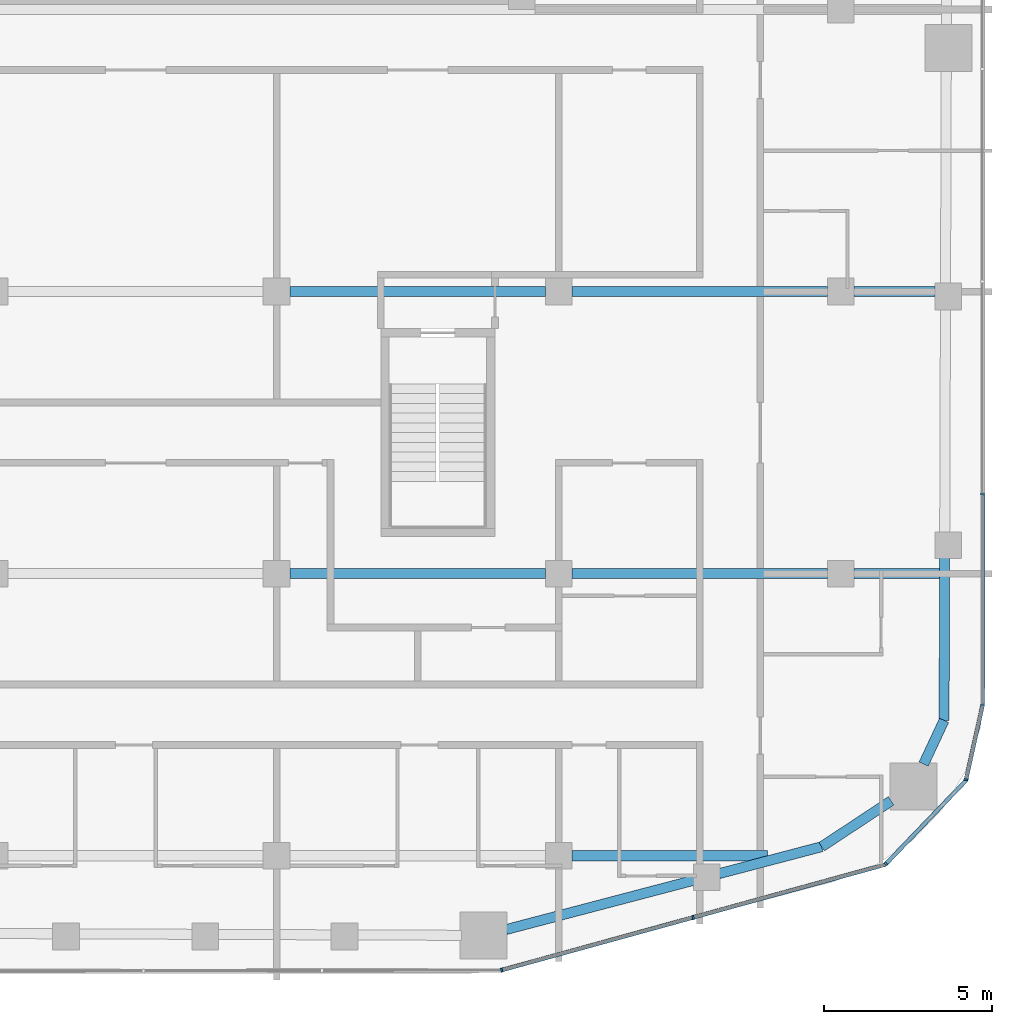
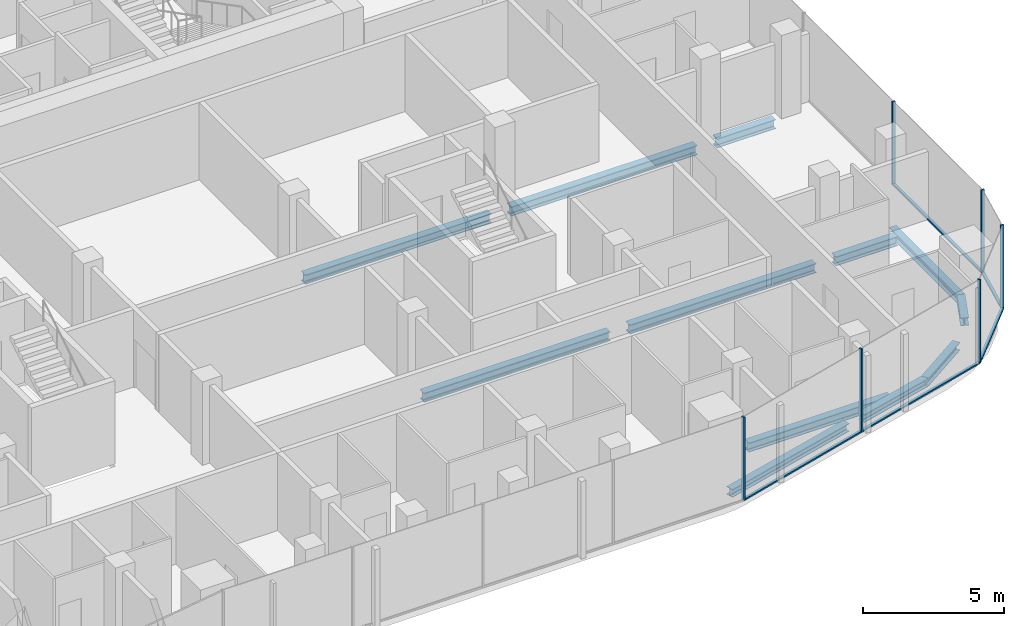
# One storey, part 6 of 21: 12 beams, 11 members, 4 elements without a shape of their own.
"""IFC4 building model written with IfcOpenShell, lengths in metres."""

import ifcopenshell
import ifcopenshell.guid

model = None  # the IFC model being written
_history = None  # IfcOwnerHistory: only IFC2X3 demands one
_inside = {}  # id of a spatial element -> (the spatial element, [elements in it])
_under = {}  # id of a project, library or spatial element -> (it, [spatial elements below it])
_declared = {}  # id of a project -> (the project, [libraries it declares])
_typed = {}  # id of a type object -> (the type object, [elements of that type])
_made_of = {}  # id of a material, layer set ... -> (it, [elements and type objects made of it])


def new_model(schema):
    """Start an empty IFC model of exactly this schema.

    Asked for "IFC4X3", IfcOpenShell would pick the latest addendum, in which some entities
    have other attributes; the version numbers below select the first issue.
    IFC2X3 requires an IfcOwnerHistory on every rooted entity: one is made here for all.
    """
    global model, _history
    if schema == "IFC4X3":
        model = ifcopenshell.file(schema_version=(4, 3, 0, 0))
    else:
        model = ifcopenshell.file(schema=schema)
    _inside.clear()
    _under.clear()
    _declared.clear()
    _typed.clear()
    _made_of.clear()
    _history = None
    if model.schema == "IFC2X3":
        org = make("IfcOrganization", Name="unknown")
        user = make(
            "IfcPersonAndOrganization",
            ThePerson=make("IfcPerson", FamilyName="unknown"),
            TheOrganization=org,
        )
        app = make(
            "IfcApplication",
            ApplicationDeveloper=org,
            Version="unknown",
            ApplicationFullName="unknown",
            ApplicationIdentifier="unknown",
        )
        _history = make(
            "IfcOwnerHistory",
            OwningUser=user,
            OwningApplication=app,
            ChangeAction="ADDED",
            CreationDate=0,
        )
    return model


def make(cls, **values):
    """One entity of the class cls with the attributes given. An attribute that is None is left unset."""
    return model.create_entity(
        cls, **{name: value for name, value in values.items() if value is not None}
    )


def rooted(cls, **values):
    """An entity with a GlobalId (a new one), such as an element, a storey or a relation."""
    return make(cls, GlobalId=ifcopenshell.guid.new(), OwnerHistory=_history, **values)


def si_unit(unit_type, name, prefix=None):
    """IfcSIUnit, for example si_unit("LENGTHUNIT", "METRE", prefix="MILLI")."""
    return make("IfcSIUnit", UnitType=unit_type, Prefix=prefix, Name=name)


def assignment(units):
    """IfcUnitAssignment: the units of a project."""
    return None if units is None else make("IfcUnitAssignment", Units=units)


def point(xyz):
    """IfcCartesianPoint."""
    return None if xyz is None else make("IfcCartesianPoint", Coordinates=xyz)


def direction(xyz):
    """IfcDirection."""
    return None if xyz is None else make("IfcDirection", DirectionRatios=xyz)


def frame(location, z_axis=None, x_axis=None):
    """IfcAxis2Placement3D, a coordinate frame: its origin and axes. An axis left out is left unset."""
    return make(
        "IfcAxis2Placement3D",
        Location=point(location),
        Axis=direction(z_axis),
        RefDirection=direction(x_axis),
    )


def frame_2d(location, x_axis=None):
    """IfcAxis2Placement2D, a coordinate frame in the plane: its origin and x axis."""
    return make(
        "IfcAxis2Placement2D", Location=point(location), RefDirection=direction(x_axis)
    )


def origin():
    """The frame at (0, 0, 0) with its axes left unset."""
    return frame((0.0, 0.0, 0.0))


def origin_2d():
    """The frame at (0, 0) in the plane with its x axis left unset."""
    return frame_2d((0.0, 0.0))


def place(relative_to, where):
    """IfcLocalPlacement: puts the frame where relative to a parent placement (None: the world)."""
    return make(
        "IfcLocalPlacement", PlacementRelTo=relative_to, RelativePlacement=where
    )


def context(
    kind, dimensions, precision=None, world=None, true_north=None, identifier=None
):
    """IfcGeometricRepresentationContext, for example the 3D "Model" context."""
    return make(
        "IfcGeometricRepresentationContext",
        ContextIdentifier=identifier,
        ContextType=kind,
        CoordinateSpaceDimension=dimensions,
        Precision=precision,
        WorldCoordinateSystem=world,
        TrueNorth=true_north,
    )


def subcontext(parent, identifier, kind, view, scale=None):
    """IfcGeometricRepresentationSubContext, for example "Body" below "Model"."""
    return make(
        "IfcGeometricRepresentationSubContext",
        ContextIdentifier=identifier,
        ContextType=kind,
        ParentContext=parent,
        TargetScale=scale,
        TargetView=view,
    )


def project(units=None, contexts=None):
    """IfcProject with its units and contexts."""
    return rooted(
        "IfcProject",
        Name="project",
        RepresentationContexts=contexts,
        UnitsInContext=assignment(units),
    )


def spatial(cls, under=None, at=None, **own):
    """A site, building, storey or space (cls), placed at a placement, below another one or the project."""
    s = rooted(cls, ObjectPlacement=at, **own)
    if under is not None:
        _under.setdefault(under.id(), (under, []))[1].append(s)
    return s


def profile(cls, at=None, kind="AREA", **sizes):
    """A parametric profile (cls). Its sizes go by their IFC names, for example OverallWidth=200.0."""
    return make(cls, ProfileType=kind, Position=at, **sizes)


def rectangle(**sizes):
    """IfcRectangleProfileDef."""
    return profile("IfcRectangleProfileDef", **sizes)


def i_section(**sizes):
    """IfcIShapeProfileDef."""
    return profile("IfcIShapeProfileDef", **sizes)


def extrude(swept, where, along, depth):
    """IfcExtrudedAreaSolid: the profile swept, set in the frame where, extruded along a direction by depth."""
    return make(
        "IfcExtrudedAreaSolid",
        SweptArea=swept,
        Position=where,
        ExtrudedDirection=direction(along),
        Depth=depth,
    )


def shape(context_of_items, identifier, shape_type, items):
    """IfcShapeRepresentation: the items that make up one representation, for example the "Body"."""
    return make(
        "IfcShapeRepresentation",
        ContextOfItems=context_of_items,
        RepresentationIdentifier=identifier,
        RepresentationType=shape_type,
        Items=items,
    )


def material(Name=None, Category=None):
    """IfcMaterial."""
    return make("IfcMaterial", Name=Name, Category=Category)


def layer(
    of_material, thickness, ventilated=None, Name=None, Category=None, Priority=None
):
    """IfcMaterialLayer: one layer of a wall or slab, of a material (None: an air gap)."""
    return make(
        "IfcMaterialLayer",
        Material=of_material,
        LayerThickness=thickness,
        IsVentilated=ventilated,
        Name=Name,
        Category=Category,
        Priority=Priority,
    )


def layer_set(layers, Name=None):
    """IfcMaterialLayerSet."""
    return make("IfcMaterialLayerSet", MaterialLayers=layers, LayerSetName=Name)


def material_profile(
    of_material, cross_section, Name=None, Category=None, Priority=None
):
    """IfcMaterialProfile: a cross section and its material."""
    return make(
        "IfcMaterialProfile",
        Name=Name,
        Material=of_material,
        Profile=cross_section,
        Priority=Priority,
        Category=Category,
    )


def profile_set(profiles, Name=None, composite=None):
    """IfcMaterialProfileSet."""
    return make(
        "IfcMaterialProfileSet",
        Name=Name,
        MaterialProfiles=profiles,
        CompositeProfile=composite,
    )


def made_of(thing, what):
    """Note that an element or type object is made of a material, layer set ...; save() writes the relation."""
    if what is not None:
        _made_of.setdefault(what.id(), (what, []))[1].append(thing)
    return thing


def type_object(cls, material=None, **own):
    """A type object (cls), such as IfcWallType, which elements share."""
    return made_of(rooted(cls, **own), material)


def element(
    cls,
    number,
    at=None,
    inside=None,
    cuts=None,
    type_object=None,
    material=None,
    context=None,
    identifier="Body",
    shape_type=None,
    held_by="IfcProductDefinitionShape",
    body=None,
    shapes=None,
    **own,
):
    """One element of the class cls, such as IfcWall. Its Tag is "e" and its number.

    at: its placement. inside: the storey or other place that contains it. cuts: it is an
    opening in that element (IfcRelVoidsElement). A single representation is given by context,
    identifier, shape_type and body (its items); several are given by shapes. held_by: the class
    of the entity that holds the representations. save() writes the other relations.
    """
    e = rooted(cls, Tag="e%d" % number, ObjectPlacement=at, **own)
    if body is not None:
        shapes = [shape(context, identifier, shape_type, body)]
    if shapes is not None:
        e.Representation = make(held_by, Representations=shapes)
    if inside is not None:
        _inside.setdefault(inside.id(), (inside, []))[1].append(e)
    if cuts is not None:
        rooted(
            "IfcRelVoidsElement", RelatingBuildingElement=cuts, RelatedOpeningElement=e
        )
    if type_object is not None:
        _typed.setdefault(type_object.id(), (type_object, []))[1].append(e)
    return made_of(e, material)


def aggregate(whole, parts):
    """IfcRelAggregates: a whole, such as a stair, and the parts it consists of."""
    return rooted("IfcRelAggregates", RelatingObject=whole, RelatedObjects=parts)


def save(model, path):
    """Write the relations noted so far, then the file.

    IfcRelAggregates (storeys below a building ...), IfcRelContainedInSpatialStructure (elements
    in a storey), IfcRelDefinesByType, IfcRelAssociatesMaterial and IfcRelDeclares: one each for
    every whole, place, type object, material and project.
    """
    for whole, parts in _under.values():
        aggregate(whole, parts)
    for where, things in _inside.values():
        rooted(
            "IfcRelContainedInSpatialStructure",
            RelatedElements=things,
            RelatingStructure=where,
        )
    for kind, things in _typed.values():
        rooted("IfcRelDefinesByType", RelatedObjects=things, RelatingType=kind)
    for what, things in _made_of.values():
        rooted("IfcRelAssociatesMaterial", RelatedObjects=things, RelatingMaterial=what)
    for by, libraries in _declared.values():
        rooted("IfcRelDeclares", RelatingContext=by, RelatedDefinitions=libraries)
    model.write(path)


model = new_model("IFC4")

# Units and contexts
model_context = context("Model", 3, precision=1e-05, world=origin(), true_north=direction((0.0, 1.0)))
body_context = subcontext(model_context, "Body", "Model", "MODEL_VIEW")
ifc_project = project(units=[si_unit("LENGTHUNIT", "METRE"), si_unit("AREAUNIT", "SQUARE_METRE"), si_unit("VOLUMEUNIT", "CUBIC_METRE"), si_unit("PLANEANGLEUNIT", "RADIAN"), si_unit("MASSUNIT", "GRAM", prefix="KILO")], contexts=[model_context])

# Site, building, storey
site_placement = place(None, origin())
site = spatial("IfcSite", under=ifc_project, at=site_placement, CompositionType="ELEMENT")
building_placement = place(site_placement, origin())
building = spatial("IfcBuilding", under=site, at=building_placement, Name="Marenta Gate Hotel Tower", CompositionType="ELEMENT")
storey_placement = place(building_placement, frame((0.0, 0.0, 202.10009765625)))
storey = spatial("IfcBuildingStorey", under=building, at=storey_placement, Name="L46", CompositionType="ELEMENT", Elevation=202.10009765625)

# Beams
ifc_material_1 = material(Name="Steel S355", Category="steel")
ifc_material_profile_1 = material_profile(ifc_material_1, i_section(OverallWidth=0.300048828125, OverallDepth=0.340087890625, WebThickness=0.011962890625, FlangeThickness=0.021484375, FilletRadius=0.027099609375, at=origin_2d()), Name="HEB 340")
ifc_profile_set_1 = profile_set([ifc_material_profile_1], Name="Steel S355")
beam_type_1 = type_object("IfcBeamType", Name="Edge beam HEB 340", PredefinedType="SPANDREL", material=ifc_profile_set_1)
beam_1_placement = place(storey_placement, frame((24.09130859375, -16.31201171875, -0.43017578125), z_axis=(-0.003318732666, -0.999994492992, 0.0), x_axis=(0.999994492992, -0.003318732666, 0.0)))
element("IfcBeam", 1, at=beam_1_placement, inside=storey, type_object=beam_type_1, Name="L46-EB-27", PredefinedType="SPANDREL", context=body_context, shape_type="SweptSolid", body=[
    extrude(i_section(OverallWidth=0.300048828125, OverallDepth=0.340087890625, WebThickness=0.011962890625, FlangeThickness=0.021484375, FilletRadius=0.027099609375, at=origin_2d()), origin(), (0.0, 0.0, 1.0), 4.855224609375),
])
beam_2_placement = place(storey_placement, frame((24.0751953125, -21.167236328125, -0.43017578125), z_axis=(-0.423341112024, -0.905970365338, 0.0), x_axis=(0.905970365338, -0.423341112024, 0.0)))
element("IfcBeam", 2, at=beam_2_placement, inside=storey, type_object=beam_type_1, Name="L46-EB-28", PredefinedType="SPANDREL", context=body_context, shape_type="SweptSolid", body=[
    extrude(i_section(OverallWidth=0.300048828125, OverallDepth=0.340087890625, WebThickness=0.011962890625, FlangeThickness=0.021484375, FilletRadius=0.027099609375, at=origin_2d()), origin(), (0.0, 0.0, 1.0), 1.437255859375),
])
beam_3_placement = place(storey_placement, frame((22.496337890625, -23.56640625, -0.43017578125), z_axis=(-0.834528740585, -0.550964410047, 0.0), x_axis=(0.550964410047, -0.834528740585, 0.0)))
element("IfcBeam", 3, at=beam_3_placement, inside=storey, type_object=beam_type_1, Name="L46-EB-29", PredefinedType="SPANDREL", context=body_context, shape_type="SweptSolid", body=[
    extrude(i_section(OverallWidth=0.300048828125, OverallDepth=0.340087890625, WebThickness=0.011962890625, FlangeThickness=0.021484375, FilletRadius=0.027099609375, at=origin_2d()), origin(), (0.0, 0.0, 1.0), 2.47705078125),
])
beam_4_placement = place(storey_placement, frame((20.42919921875, -24.93115234375, -0.43017578125), z_axis=(-0.967235227858, -0.253881889845, 0.0), x_axis=(0.253881889845, -0.967235227858, 0.0)))
element("IfcBeam", 4, at=beam_4_placement, inside=storey, type_object=beam_type_1, Name="L46-EB-30", PredefinedType="SPANDREL", context=body_context, shape_type="SweptSolid", body=[
    extrude(i_section(OverallWidth=0.300048828125, OverallDepth=0.340087890625, WebThickness=0.011962890625, FlangeThickness=0.021484375, FilletRadius=0.027099609375, at=origin_2d()), origin(), (0.0, 0.0, 1.0), 3.164794921875),
])
beam_5_placement = place(storey_placement, frame((16.6455078125, -25.92431640625, -0.43017578125), z_axis=(-0.96723496524, -0.253882890359, 0.0), x_axis=(0.253882890359, -0.96723496524, 0.0)))
element("IfcBeam", 5, at=beam_5_placement, inside=storey, type_object=beam_type_1, Name="L46-EB-31", PredefinedType="SPANDREL", context=body_context, shape_type="SweptSolid", body=[
    extrude(i_section(OverallWidth=0.300048828125, OverallDepth=0.340087890625, WebThickness=0.011962890625, FlangeThickness=0.021484375, FilletRadius=0.027099609375, at=origin_2d()), origin(), (0.0, 0.0, 1.0), 5.80810546875),
])
ifc_material_2 = material(Name="Steel S355", Category="steel")
ifc_material_profile_2 = material_profile(ifc_material_2, i_section(OverallWidth=0.300048828125, OverallDepth=0.39990234375, WebThickness=0.013427734375, FlangeThickness=0.02392578125, FilletRadius=0.027099609375, at=origin_2d()), Name="HEB 400")
ifc_profile_set_2 = profile_set([ifc_material_profile_2], Name="Steel S355")
beam_type_2 = type_object("IfcBeamType", Name="Girder HEB 400", PredefinedType="BEAM", material=ifc_profile_set_2)
beam_6_placement = place(storey_placement, frame((13.0, -25.199951171875, -0.460205078125), z_axis=(1.0, 0.0, 0.0), x_axis=(0.0, 1.0, 0.0)))
element("IfcBeam", 6, at=beam_6_placement, inside=storey, type_object=beam_type_2, Name="L46-GD-5", PredefinedType="BEAM", context=body_context, shape_type="SweptSolid", body=[
    extrude(i_section(OverallWidth=0.300048828125, OverallDepth=0.39990234375, WebThickness=0.013427734375, FlangeThickness=0.02392578125, FilletRadius=0.027099609375, at=origin_2d()), origin(), (0.0, 0.0, 1.0), 5.81396484375),
])
beam_7_placement = place(storey_placement, frame((4.60009765625, -16.800048828125, -0.460205078125), z_axis=(1.0, 0.0, 0.0), x_axis=(0.0, 1.0, 0.0)))
element("IfcBeam", 7, at=beam_7_placement, inside=storey, type_object=beam_type_2, Name="L46-GD-10", PredefinedType="BEAM", context=body_context, shape_type="SweptSolid", body=[
    extrude(i_section(OverallWidth=0.300048828125, OverallDepth=0.39990234375, WebThickness=0.013427734375, FlangeThickness=0.02392578125, FilletRadius=0.027099609375, at=origin_2d()), origin(), (0.0, 0.0, 1.0), 7.599853515625),
])
beam_8_placement = place(storey_placement, frame((13.0, -16.800048828125, -0.460205078125), z_axis=(1.0, 0.0, 0.0), x_axis=(0.0, 1.0, 0.0)))
element("IfcBeam", 8, at=beam_8_placement, inside=storey, type_object=beam_type_2, Name="L46-GD-11", PredefinedType="BEAM", context=body_context, shape_type="SweptSolid", body=[
    extrude(i_section(OverallWidth=0.300048828125, OverallDepth=0.39990234375, WebThickness=0.013427734375, FlangeThickness=0.02392578125, FilletRadius=0.027099609375, at=origin_2d()), origin(), (0.0, 0.0, 1.0), 7.60009765625),
])
beam_9_placement = place(storey_placement, frame((21.39990234375, -16.800048828125, -0.460205078125), z_axis=(1.0, 0.0, 0.0), x_axis=(0.0, 1.0, 0.0)))
element("IfcBeam", 9, at=beam_9_placement, inside=storey, type_object=beam_type_2, Name="L46-GD-12", PredefinedType="BEAM", context=body_context, shape_type="SweptSolid", body=[
    extrude(i_section(OverallWidth=0.300048828125, OverallDepth=0.39990234375, WebThickness=0.013427734375, FlangeThickness=0.02392578125, FilletRadius=0.027099609375, at=origin_2d()), origin(), (0.0, 0.0, 1.0), 2.539794921875),
])
beam_10_placement = place(storey_placement, frame((4.60009765625, -8.39990234375, -0.460205078125), z_axis=(1.0, 0.0, 0.0), x_axis=(0.0, 1.0, 0.0)))
element("IfcBeam", 10, at=beam_10_placement, inside=storey, type_object=beam_type_2, Name="L46-GD-17", PredefinedType="BEAM", context=body_context, shape_type="SweptSolid", body=[
    extrude(i_section(OverallWidth=0.300048828125, OverallDepth=0.39990234375, WebThickness=0.013427734375, FlangeThickness=0.02392578125, FilletRadius=0.027099609375, at=origin_2d()), origin(), (0.0, 0.0, 1.0), 7.599853515625),
])
beam_11_placement = place(storey_placement, frame((13.0, -8.39990234375, -0.460205078125), z_axis=(1.0, 0.0, 0.0), x_axis=(0.0, 1.0, 0.0)))
element("IfcBeam", 11, at=beam_11_placement, inside=storey, type_object=beam_type_2, Name="L46-GD-18", PredefinedType="BEAM", context=body_context, shape_type="SweptSolid", body=[
    extrude(i_section(OverallWidth=0.300048828125, OverallDepth=0.39990234375, WebThickness=0.013427734375, FlangeThickness=0.02392578125, FilletRadius=0.027099609375, at=origin_2d()), origin(), (0.0, 0.0, 1.0), 7.60009765625),
])
beam_12_placement = place(storey_placement, frame((21.39990234375, -8.39990234375, -0.460205078125), z_axis=(1.0, 0.0, 0.0), x_axis=(0.0, 1.0, 0.0)))
element("IfcBeam", 12, at=beam_12_placement, inside=storey, type_object=beam_type_2, Name="L46-GD-19", PredefinedType="BEAM", context=body_context, shape_type="SweptSolid", body=[
    extrude(i_section(OverallWidth=0.300048828125, OverallDepth=0.39990234375, WebThickness=0.013427734375, FlangeThickness=0.02392578125, FilletRadius=0.027099609375, at=origin_2d()), origin(), (0.0, 0.0, 1.0), 2.400146484375),
])

# Curtain wall, members
ifc_material_3 = material(Name="Tinted insulated glass in bronze anodised frame", Category="glass")
ifc_layer = layer(ifc_material_3, 0.1201171875)
ifc_layer_set = layer_set([ifc_layer], Name="Tinted insulated glass in bronze anodised frame")
curtain_wall_type = type_object("IfcCurtainWallType", Name="Tower unitised curtain wall CW1", PredefinedType="NOTDEFINED", material=ifc_layer_set)
curtain_wall_1_placement = place(storey_placement, origin())
curtain_wall_1 = element("IfcCurtainWall", 13, at=curtain_wall_1_placement, inside=storey, type_object=curtain_wall_type, Name="CW1 run G08", PredefinedType="NOTDEFINED")
ifc_material_4 = material(Name="Bronze anodised aluminium", Category="aluminium")
ifc_material_profile_3 = material_profile(ifc_material_4, rectangle(XDim=0.1201171875, YDim=0.06005859375, at=origin_2d()), Name="Mullion CW1 60x120 bronze anodised aluminium")
ifc_profile_set_3 = profile_set([ifc_material_profile_3], Name="Bronze anodised aluminium")
member_type_1 = type_object("IfcMemberType", Name="Mullion CW1 60x120 bronze anodised aluminium", PredefinedType="MULLION", material=ifc_profile_set_3)
member_1_placement = place(storey_placement, frame((10.902587890625, -28.6044921875, 0.0), z_axis=(0.0, 0.0, 1.0), x_axis=(-0.265293272675, 0.964167765212, 0.0)))
member_1 = element("IfcMember", 14, at=member_1_placement, type_object=member_type_1, Name="CW1 mullion 1", PredefinedType="MULLION", context=body_context, shape_type="SweptSolid", body=[
    extrude(rectangle(XDim=0.1201171875, YDim=0.06005859375, at=origin_2d()), origin(), (0.0, 0.0, 1.0), 3.599853515625),
])
member_2_placement = place(storey_placement, frame((16.599365234375, -27.037109375, 0.0), z_axis=(0.0, 0.0, 1.0), x_axis=(-0.265293272675, 0.964167765212, 0.0)))
member_2 = element("IfcMember", 15, at=member_2_placement, type_object=member_type_1, Name="CW1 mullion 2", PredefinedType="MULLION", context=body_context, shape_type="SweptSolid", body=[
    extrude(rectangle(XDim=0.1201171875, YDim=0.06005859375, at=origin_2d()), origin(), (0.0, 0.0, 1.0), 3.599853515625),
])

# Curtain wall, member
curtain_wall_2_placement = place(storey_placement, origin())
curtain_wall_2 = element("IfcCurtainWall", 16, at=curtain_wall_2_placement, inside=storey, type_object=curtain_wall_type, Name="CW1 run G09", PredefinedType="NOTDEFINED")
member_3_placement = place(storey_placement, frame((22.345458984375, -25.43994140625, 0.0), z_axis=(0.0, 0.0, 1.0), x_axis=(-0.72137172224, 0.692548076564, 0.0)))
member_3 = element("IfcMember", 17, at=member_3_placement, type_object=member_type_1, Name="CW1 mullion 1", PredefinedType="MULLION", context=body_context, shape_type="SweptSolid", body=[
    extrude(rectangle(XDim=0.1201171875, YDim=0.06005859375, at=origin_2d()), origin(), (0.0, 0.0, 1.0), 3.599853515625),
])

curtain_wall_3_placement = place(storey_placement, origin())
curtain_wall_3 = element("IfcCurtainWall", 18, at=curtain_wall_3_placement, inside=storey, type_object=curtain_wall_type, Name="CW1 run G10", PredefinedType="NOTDEFINED")
member_4_placement = place(storey_placement, frame((24.726806640625, -22.937255859375, 0.0), z_axis=(0.0, 0.0, 1.0), x_axis=(-0.97620669183, 0.216842096529, 0.0)))
member_4 = element("IfcMember", 19, at=member_4_placement, type_object=member_type_1, Name="CW1 mullion 1", PredefinedType="MULLION", context=body_context, shape_type="SweptSolid", body=[
    extrude(rectangle(XDim=0.1201171875, YDim=0.06005859375, at=origin_2d()), origin(), (0.0, 0.0, 1.0), 3.599853515625),
])

# Curtain wall, members
curtain_wall_4_placement = place(storey_placement, origin())
curtain_wall_4 = element("IfcCurtainWall", 20, at=curtain_wall_4_placement, inside=storey, type_object=curtain_wall_type, Name="CW1 run G11", PredefinedType="NOTDEFINED")
member_5_placement = place(storey_placement, frame((25.214111328125, -20.7138671875, 0.0), z_axis=(0.0, 0.0, 1.0), x_axis=(-1.0, 0.0, 0.0)))
member_5 = element("IfcMember", 21, at=member_5_placement, type_object=member_type_1, Name="CW1 mullion 1", PredefinedType="MULLION", context=body_context, shape_type="SweptSolid", body=[
    extrude(rectangle(XDim=0.1201171875, YDim=0.06005859375, at=origin_2d()), origin(), (0.0, 0.0, 1.0), 3.599853515625),
])
member_6_placement = place(storey_placement, frame((25.214111328125, -14.42138671875, 0.0), z_axis=(0.0, 0.0, 1.0), x_axis=(-1.0, 0.0, 0.0)))
member_6 = element("IfcMember", 22, at=member_6_placement, type_object=member_type_1, Name="CW1 mullion 2", PredefinedType="MULLION", context=body_context, shape_type="SweptSolid", body=[
    extrude(rectangle(XDim=0.1201171875, YDim=0.06005859375, at=origin_2d()), origin(), (0.0, 0.0, 1.0), 3.599853515625),
])

# Member
ifc_material_5 = material(Name="Bronze anodised aluminium", Category="aluminium")
ifc_material_profile_4 = material_profile(ifc_material_5, rectangle(XDim=0.1201171875, YDim=0.06005859375, at=origin_2d()), Name="Transom CW1 60x120 bronze anodised aluminium")
ifc_profile_set_4 = profile_set([ifc_material_profile_4], Name="Bronze anodised aluminium")
member_type_2 = type_object("IfcMemberType", Name="Transom CW1 60x120 bronze anodised aluminium", PredefinedType="USERDEFINED", material=ifc_profile_set_4)
member_7_placement = place(storey_placement, frame((10.931640625, -28.5966796875, 0.02978515625), z_axis=(0.964166959812, 0.265296199758, 0.0), x_axis=(-0.265296199758, 0.964166959812, 0.0)))
member_7 = element("IfcMember", 23, at=member_7_placement, type_object=member_type_2, Name="CW1 transom 1.1", ObjectType="TRANSOM", PredefinedType="USERDEFINED", context=body_context, shape_type="SweptSolid", body=[
    extrude(rectangle(XDim=0.1201171875, YDim=0.06005859375, at=origin_2d()), origin(), (0.0, 0.0, 1.0), 5.84814453125),
])

member_8_placement = place(storey_placement, frame((16.628173828125, -27.029052734375, 0.02978515625), z_axis=(0.964169199953, 0.265288058274, 0.0), x_axis=(-0.265288058274, 0.964169199953, 0.0)))
member_8 = element("IfcMember", 24, at=member_8_placement, type_object=member_type_2, Name="CW1 transom 2.1", ObjectType="TRANSOM", PredefinedType="USERDEFINED", context=body_context, shape_type="SweptSolid", body=[
    extrude(rectangle(XDim=0.1201171875, YDim=0.06005859375, at=origin_2d()), origin(), (0.0, 0.0, 1.0), 5.908203125),
])

aggregate(curtain_wall_1, [member_1, member_2, member_7, member_8])

member_9_placement = place(storey_placement, frame((22.366455078125, -25.41845703125, 0.02978515625), z_axis=(0.692521361505, 0.721397368903, 0.0), x_axis=(-0.721397368903, 0.692521361505, 0.0)))
member_9 = element("IfcMember", 25, at=member_9_placement, type_object=member_type_2, Name="CW1 transom 1.1", ObjectType="TRANSOM", PredefinedType="USERDEFINED", context=body_context, shape_type="SweptSolid", body=[
    extrude(rectangle(XDim=0.1201171875, YDim=0.06005859375, at=origin_2d()), origin(), (0.0, 0.0, 1.0), 3.39892578125),
])

aggregate(curtain_wall_2, [member_3, member_9])

member_10_placement = place(storey_placement, frame((24.7333984375, -22.907958984375, 0.02978515625), z_axis=(0.216848830219, 0.976205196069, 0.0), x_axis=(-0.976205196069, 0.216848830219, 0.0)))
member_10 = element("IfcMember", 26, at=member_10_placement, type_object=member_type_2, Name="CW1 transom 1.1", ObjectType="TRANSOM", PredefinedType="USERDEFINED", context=body_context, shape_type="SweptSolid", body=[
    extrude(rectangle(XDim=0.1201171875, YDim=0.06005859375, at=origin_2d()), origin(), (0.0, 0.0, 1.0), 2.216796875),
])

aggregate(curtain_wall_3, [member_4, member_10])

member_11_placement = place(storey_placement, frame((25.214111328125, -20.683837890625, 0.02978515625), z_axis=(0.0, 1.0, 0.0), x_axis=(-1.0, 0.0, 0.0)))
member_11 = element("IfcMember", 27, at=member_11_placement, type_object=member_type_2, Name="CW1 transom 1.1", ObjectType="TRANSOM", PredefinedType="USERDEFINED", context=body_context, shape_type="SweptSolid", body=[
    extrude(rectangle(XDim=0.1201171875, YDim=0.06005859375, at=origin_2d()), origin(), (0.0, 0.0, 1.0), 6.232666015625),
])

aggregate(curtain_wall_4, [member_5, member_6, member_11])

save(model, "model.ifc")
